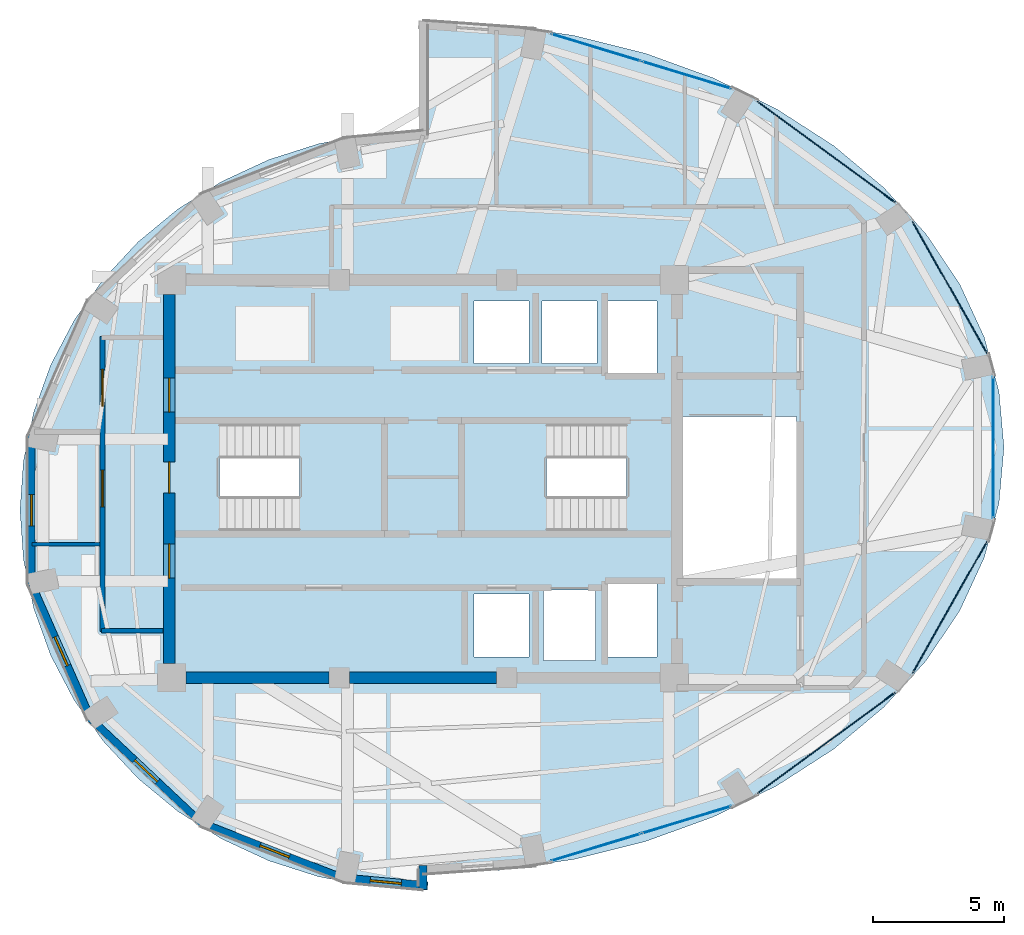
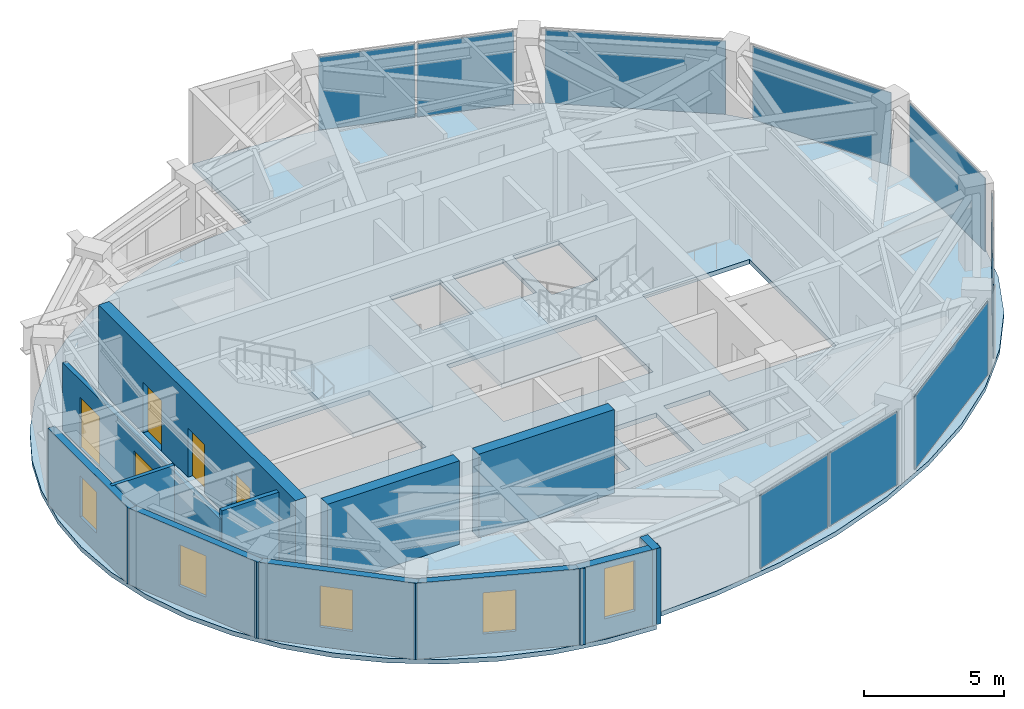
# One storey, part 9 of 13: 12 walls, 9 plates, 5 doors, 5 windows, 3 slabs, 10 openings, 9 elements without a shape of their own.
"""IFC4 building model written with IfcOpenShell, lengths in metres."""

from ifc_helpers import new_model, si_unit, direction, frame, frame_2d, origin, origin_2d, place, context, subcontext, project, spatial, polyline, rectangle, outline, extrude, material, layer, layer_set, type_object, element, fill, aggregate, save


model = new_model("IFC4")

# Units and contexts
model_context = context("Model", 3, precision=1e-05, world=origin(), true_north=direction((0.0, 1.0)))
body_context = subcontext(model_context, "Body", "Model", "MODEL_VIEW")
ifc_project = project(units=[si_unit("LENGTHUNIT", "METRE"), si_unit("AREAUNIT", "SQUARE_METRE"), si_unit("VOLUMEUNIT", "CUBIC_METRE"), si_unit("PLANEANGLEUNIT", "RADIAN"), si_unit("MASSUNIT", "GRAM", prefix="KILO")], contexts=[model_context])

# Site, building, storey
site_placement = place(None, origin())
site = spatial("IfcSite", under=ifc_project, at=site_placement, CompositionType="ELEMENT")
building_placement = place(site_placement, origin())
building = spatial("IfcBuilding", under=site, at=building_placement, Name="Lazwardi Medical Tower", CompositionType="ELEMENT")
storey_placement = place(building_placement, frame((0.0, 0.0, 298.800048828125)))
storey = spatial("IfcBuildingStorey", under=building, at=storey_placement, Name="L78", CompositionType="ELEMENT", Elevation=298.800048828125)

# Curtain wall, plates
ifc_material_1 = material(Name="Anodised bronze aluminium and solar control glazing", Category="aluminium")
ifc_layer_1 = layer(ifc_material_1, 0.18994140625)
ifc_layer_set_1 = layer_set([ifc_layer_1], Name="Anodised bronze aluminium and solar control glazing")
curtain_wall_type = type_object("IfcCurtainWallType", Name="CW-SYS-04", PredefinedType="NOTDEFINED", material=ifc_layer_set_1)
curtain_wall_1_placement = place(storey_placement, origin())
curtain_wall_1 = element("IfcCurtainWall", 1, at=curtain_wall_1_placement, inside=storey, type_object=curtain_wall_type, Name="L78 Unitised bronze curtain wall CW-04", PredefinedType="NOTDEFINED")
ifc_material_2 = material(Name="Low-e bronze solar control double glazing", Category="glass")
ifc_layer_2 = layer(ifc_material_2, 0.035888671875)
ifc_layer_set_2 = layer_set([ifc_layer_2], Name="Low-e bronze solar control double glazing")
plate_type = type_object("IfcPlateType", Name="PLT-GLZ-01", PredefinedType="CURTAIN_PANEL", material=ifc_layer_set_2)
plate_1_placement = place(storey_placement, frame((42.604736328125, 13.918701171875, 0.06494140625), z_axis=(0.0, 0.0, 1.0), x_axis=(0.956850126972, 0.290581889515, 0.0)))
plate_1 = element("IfcPlate", 2, at=plate_1_placement, type_object=plate_type, Name="CW-04 panel 1.1", PredefinedType="CURTAIN_PANEL", context=body_context, shape_type="SweptSolid", body=[
    extrude(rectangle(XDim=3.554443359375, YDim=0.035888671875, at=origin_2d()), origin(), (0.0, 0.0, 1.0), 3.197998046875),
])
plate_2_placement = place(storey_placement, frame((46.068115234375, 14.970458984375, 0.06494140625), z_axis=(0.0, 0.0, 1.0), x_axis=(0.956850126972, 0.290581889515, 0.0)))
plate_2 = element("IfcPlate", 3, at=plate_2_placement, type_object=plate_type, Name="CW-04 panel 2.1", PredefinedType="CURTAIN_PANEL", context=body_context, shape_type="SweptSolid", body=[
    extrude(rectangle(XDim=3.554443359375, YDim=0.035888671875, at=origin_2d()), origin(), (0.0, 0.0, 1.0), 3.197998046875),
])
aggregate(curtain_wall_1, [plate_1, plate_2])

# Curtain wall, plate
curtain_wall_2_placement = place(storey_placement, origin())
curtain_wall_2 = element("IfcCurtainWall", 4, at=curtain_wall_2_placement, inside=storey, type_object=curtain_wall_type, Name="L78 Unitised bronze curtain wall CW-04", PredefinedType="NOTDEFINED")
plate_3_placement = place(storey_placement, frame((51.403564453125, 17.90673828125, 0.06494140625), z_axis=(0.0, 0.0, 1.0), x_axis=(0.806474971121, 0.591268230971, 0.0)))
plate_3 = element("IfcPlate", 5, at=plate_3_placement, type_object=plate_type, Name="CW-04 panel 1.1", PredefinedType="CURTAIN_PANEL", context=body_context, shape_type="SweptSolid", body=[
    extrude(rectangle(XDim=6.502685546875, YDim=0.035888671875, at=origin_2d()), origin(), (0.0, 0.0, 1.0), 3.197998046875),
])
aggregate(curtain_wall_2, [plate_3])

curtain_wall_3_placement = place(storey_placement, origin())
curtain_wall_3 = element("IfcCurtainWall", 6, at=curtain_wall_3_placement, inside=storey, type_object=curtain_wall_type, Name="L78 Unitised bronze curtain wall CW-04", PredefinedType="NOTDEFINED")
plate_4_placement = place(storey_placement, frame((56.125732421875, 23.088134765625, 0.06494140625), z_axis=(0.0, 0.0, 1.0), x_axis=(0.491900474661, 0.870651436011, 0.0)))
plate_4 = element("IfcPlate", 7, at=plate_4_placement, type_object=plate_type, Name="CW-04 panel 1.1", PredefinedType="CURTAIN_PANEL", context=body_context, shape_type="SweptSolid", body=[
    extrude(rectangle(XDim=5.755126953125, YDim=0.035888671875, at=origin_2d()), origin(), (0.0, 0.0, 1.0), 3.197998046875),
])
aggregate(curtain_wall_3, [plate_4])

curtain_wall_4_placement = place(storey_placement, origin())
curtain_wall_4 = element("IfcCurtainWall", 8, at=curtain_wall_4_placement, inside=storey, type_object=curtain_wall_type, Name="L78 Unitised bronze curtain wall CW-04", PredefinedType="NOTDEFINED")
plate_5_placement = place(storey_placement, frame((57.7841796875, 29.199951171875, 0.06494140625), z_axis=(0.0, 0.0, 1.0), x_axis=(0.0, 1.0, 0.0)))
plate_5 = element("IfcPlate", 9, at=plate_5_placement, type_object=plate_type, Name="CW-04 panel 1.1", PredefinedType="CURTAIN_PANEL", context=body_context, shape_type="SweptSolid", body=[
    extrude(rectangle(XDim=5.416015625, YDim=0.035888671875, at=origin_2d()), origin(), (0.0, 0.0, 1.0), 3.197998046875),
])
aggregate(curtain_wall_4, [plate_5])

curtain_wall_5_placement = place(storey_placement, origin())
curtain_wall_5 = element("IfcCurtainWall", 10, at=curtain_wall_5_placement, inside=storey, type_object=curtain_wall_type, Name="L78 Unitised bronze curtain wall CW-04", PredefinedType="NOTDEFINED")
plate_6_placement = place(storey_placement, frame((56.125732421875, 35.311767578125, 0.06494140625), z_axis=(0.0, 0.0, 1.0), x_axis=(-0.491900474661, 0.870651436011, 0.0)))
plate_6 = element("IfcPlate", 11, at=plate_6_placement, type_object=plate_type, Name="CW-04 panel 1.1", PredefinedType="CURTAIN_PANEL", context=body_context, shape_type="SweptSolid", body=[
    extrude(rectangle(XDim=5.755126953125, YDim=0.035888671875, at=origin_2d()), origin(), (0.0, 0.0, 1.0), 3.197998046875),
])
aggregate(curtain_wall_5, [plate_6])

curtain_wall_6_placement = place(storey_placement, origin())
curtain_wall_6 = element("IfcCurtainWall", 12, at=curtain_wall_6_placement, inside=storey, type_object=curtain_wall_type, Name="L78 Unitised bronze curtain wall CW-04", PredefinedType="NOTDEFINED")
plate_7_placement = place(storey_placement, frame((51.403564453125, 40.4931640625, 0.06494140625), z_axis=(0.0, 0.0, 1.0), x_axis=(-0.806474971121, 0.591268230971, 0.0)))
plate_7 = element("IfcPlate", 13, at=plate_7_placement, type_object=plate_type, Name="CW-04 panel 1.1", PredefinedType="CURTAIN_PANEL", context=body_context, shape_type="SweptSolid", body=[
    extrude(rectangle(XDim=6.502685546875, YDim=0.035888671875, at=origin_2d()), origin(), (0.0, 0.0, 1.0), 3.197998046875),
])
aggregate(curtain_wall_6, [plate_7])

# Curtain wall, plates
curtain_wall_7_placement = place(storey_placement, origin())
curtain_wall_7 = element("IfcCurtainWall", 14, at=curtain_wall_7_placement, inside=storey, type_object=curtain_wall_type, Name="L78 Unitised bronze curtain wall CW-04", PredefinedType="NOTDEFINED")
plate_8_placement = place(storey_placement, frame((46.068115234375, 43.429443359375, 0.06494140625), z_axis=(0.0, 0.0, 1.0), x_axis=(-0.956850126972, 0.290581889515, 0.0)))
plate_8 = element("IfcPlate", 15, at=plate_8_placement, type_object=plate_type, Name="CW-04 panel 1.1", PredefinedType="CURTAIN_PANEL", context=body_context, shape_type="SweptSolid", body=[
    extrude(rectangle(XDim=3.554443359375, YDim=0.035888671875, at=origin_2d()), origin(), (0.0, 0.0, 1.0), 3.197998046875),
])
plate_9_placement = place(storey_placement, frame((42.604736328125, 44.481201171875, 0.06494140625), z_axis=(0.0, 0.0, 1.0), x_axis=(-0.956850126972, 0.290581889515, 0.0)))
plate_9 = element("IfcPlate", 16, at=plate_9_placement, type_object=plate_type, Name="CW-04 panel 2.1", PredefinedType="CURTAIN_PANEL", context=body_context, shape_type="SweptSolid", body=[
    extrude(rectangle(XDim=3.554443359375, YDim=0.035888671875, at=origin_2d()), origin(), (0.0, 0.0, 1.0), 3.197998046875),
])
aggregate(curtain_wall_7, [plate_8, plate_9])

# Stair, slab
ifc_material_3 = material(Name="Concrete C45/55", Category="concrete")
stair_type = type_object("IfcStairType", Name="STR-WRD", PredefinedType="HALF_TURN_STAIR", material=ifc_material_3)
stair_1_placement = place(storey_placement, origin())
stair_1 = element("IfcStair", 17, at=stair_1_placement, inside=storey, type_object=stair_type, Name="L78 Protected Exit Stair ST1", PredefinedType="HALF_TURN_STAIR")
ifc_layer_3 = layer(ifc_material_3, 0.199951171875)
ifc_layer_set_3 = layer_set([ifc_layer_3], Name="Concrete C45/55")
slab_type_1 = type_object("IfcSlabType", Name="SLB-LND-190", PredefinedType="LANDING", material=ifc_layer_set_3)
slab_1_placement = place(storey_placement, frame((0.0, 0.0, 1.6240234375)))
slab_1 = element("IfcSlab", 18, at=slab_1_placement, type_object=slab_type_1, Name="ST1 landing 1", PredefinedType="LANDING", context=body_context, shape_type="SweptSolid", body=[
    extrude(outline(polyline([(31.27490234375, 25.840087890625), (34.580078125, 25.840087890625), (34.580078125, 30.280029296875), (31.27490234375, 30.280029296875), (31.27490234375, 25.840087890625)])), origin(), (0.0, 0.0, 1.0), 0.199951171875),
])
aggregate(stair_1, [slab_1])

stair_2_placement = place(storey_placement, origin())
stair_2 = element("IfcStair", 19, at=stair_2_placement, inside=storey, type_object=stair_type, Name="L78 Protected Exit Stair ST2", PredefinedType="HALF_TURN_STAIR")
slab_2_placement = place(storey_placement, frame((0.0, 0.0, 1.6240234375)))
slab_2 = element("IfcSlab", 20, at=slab_2_placement, type_object=slab_type_1, Name="ST2 landing 1", PredefinedType="LANDING", context=body_context, shape_type="SweptSolid", body=[
    extrude(outline(polyline([(40.72509765625, 30.280029296875), (37.419921875, 30.280029296875), (37.419921875, 25.840087890625), (40.72509765625, 25.840087890625), (40.72509765625, 30.280029296875)])), origin(), (0.0, 0.0, 1.0), 0.199951171875),
])
aggregate(stair_2, [slab_2])

# Slab
ifc_material_4 = material(Name="Concrete C50/60", Category="concrete")
ifc_layer_4 = layer(ifc_material_4, 0.199951171875)
ifc_layer_set_4 = layer_set([ifc_layer_4], Name="Concrete C50/60")
slab_type_2 = type_object("IfcSlabType", Name="SLB-UPP-200", PredefinedType="FLOOR", material=ifc_layer_set_4)
slab_3_placement = place(storey_placement, frame((0.0, 0.0, -0.199951171875)))
element("IfcSlab", 21, at=slab_3_placement, inside=storey, type_object=slab_type_2, Name="Structural floor slab SF-04 L78", PredefinedType="FLOOR", context=body_context, shape_type="SweptSolid", body=[
    extrude(outline(polyline([(23.782470703125, 17.972900390625), (25.110595703125, 16.547119140625), (26.625, 15.29638671875), (28.300048828125, 14.24267578125), (30.106689453125, 13.40380859375), (32.01416015625, 12.794189453125), (33.989990234375, 12.424072265625), (36.0, 12.300048828125), (36.0, 12.89990234375), (38.897705078125, 13.039306640625), (41.745849609375, 13.455322265625), (44.49560546875, 14.140869140625), (47.10009765625, 15.083740234375), (49.514404296875, 16.268310546875), (51.69775390625, 17.67431640625), (53.6123046875, 19.277099609375), (55.225830078125, 21.050048828125), (56.510009765625, 22.96240234375), (57.443603515625, 24.981201171875), (58.010009765625, 27.072509765625), (58.199951171875, 29.199951171875), (58.010009765625, 31.32763671875), (57.443603515625, 33.418701171875), (56.510009765625, 35.437744140625), (55.225830078125, 37.35009765625), (53.6123046875, 39.122802734375), (51.69775390625, 40.725830078125), (49.514404296875, 42.131591796875), (47.10009765625, 43.316162109375), (44.49560546875, 44.25927734375), (41.745849609375, 44.944580078125), (38.897705078125, 45.360595703125), (36.0, 45.5), (36.0, 41.300048828125), (33.989990234375, 41.176025390625), (32.01416015625, 40.805908203125), (30.106689453125, 40.1962890625), (28.300048828125, 39.357421875), (26.625, 38.3037109375), (25.110595703125, 37.052978515625), (23.782470703125, 35.626953125), (22.6630859375, 34.050048828125), (21.772216796875, 32.348876953125), (21.124755859375, 30.552978515625), (20.731689453125, 28.692626953125), (20.60009765625, 26.800048828125), (20.731689453125, 24.907470703125), (21.124755859375, 23.047119140625), (21.772216796875, 21.251220703125), (22.6630859375, 19.550048828125), (23.782470703125, 17.972900390625)]), holes=[polyline([(28.22509765625, 26.02001953125), (28.22509765625, 30.10009765625), (34.39990234375, 30.10009765625), (34.39990234375, 26.02001953125), (28.22509765625, 26.02001953125)]), polyline([(37.60009765625, 30.10009765625), (43.77490234375, 30.10009765625), (43.77490234375, 26.02001953125), (37.60009765625, 26.02001953125), (37.60009765625, 30.10009765625)]), polyline([(50.280029296875, 30.375), (50.280029296875, 24.179931640625), (45.840087890625, 24.179931640625), (45.840087890625, 30.375), (50.280029296875, 30.375)]), polyline([(40.050048828125, 32.39990234375), (37.949951171875, 32.39990234375), (37.949951171875, 34.800048828125), (40.050048828125, 34.800048828125), (40.050048828125, 32.39990234375)]), polyline([(40.550048828125, 32.39990234375), (40.550048828125, 34.800048828125), (42.64990234375, 34.800048828125), (42.64990234375, 32.39990234375), (40.550048828125, 32.39990234375)]), polyline([(37.949951171875, 23.60009765625), (40.050048828125, 23.60009765625), (40.050048828125, 21.199951171875), (37.949951171875, 21.199951171875), (37.949951171875, 23.60009765625)]), polyline([(44.949951171875, 34.800048828125), (44.949951171875, 32.0), (43.050048828125, 32.0), (43.050048828125, 34.800048828125), (44.949951171875, 34.800048828125)]), polyline([(44.949951171875, 21.199951171875), (43.050048828125, 21.199951171875), (43.050048828125, 24.0), (44.949951171875, 24.0), (44.949951171875, 21.199951171875)]), polyline([(40.60009765625, 21.050048828125), (40.60009765625, 23.75), (42.60009765625, 23.75), (42.60009765625, 21.050048828125), (40.60009765625, 21.050048828125)])]), origin(), (0.0, 0.0, 1.0), 0.199951171875),
])

# Wall
ifc_material_5 = material(Name="Fire-rated gypsum board on steel stud", Category="steel")
ifc_layer_5 = layer(ifc_material_5, 0.179931640625)
ifc_layer_set_5 = layer_set([ifc_layer_5], Name="Fire-rated gypsum board on steel stud")
wall_type_1 = type_object("IfcWallType", Name="WL-COR-180", PredefinedType="PARTITIONING", material=ifc_layer_set_5)
wall_1_placement = place(storey_placement, frame((26.06005859375, 22.199951171875, 0.0), z_axis=(0.0, 0.0, 1.0), x_axis=(-1.0, 0.0, 0.0)))
element("IfcWall", 22, at=wall_1_placement, inside=storey, type_object=wall_type_1, Name="L78 Corridor partition 7", PredefinedType="PARTITIONING", context=body_context, shape_type="SweptSolid", body=[
    extrude(rectangle(XDim=2.35009765625, YDim=0.179931640625, at=frame_2d((1.175048828125, 0.0))), origin(), (0.0, 0.0, 1.0), 3.327880859375),
])

# Wall, openings, doors
wall_2_placement = place(storey_placement, frame((23.75, 22.159912109375, 0.0), z_axis=(0.0, 0.0, 1.0), x_axis=(0.0, 1.0, 0.0)))
wall_2 = element("IfcWall", 23, at=wall_2_placement, inside=storey, type_object=wall_type_1, Name="L78 Corridor partition 8", PredefinedType="PARTITIONING", context=body_context, shape_type="SweptSolid", body=[
    extrude(rectangle(XDim=11.280029296875, YDim=0.179931640625, at=frame_2d((5.64013671875, 0.0))), origin(), (0.0, 0.0, 1.0), 2.952880859375),
])
opening_1_placement = place(wall_2_placement, frame((4.7724609375, 0.0, 0.0)))
opening_1 = element("IfcOpeningElement", 24, at=opening_1_placement, cuts=wall_2, Name="Opening D-L78-010", PredefinedType="OPENING", context=body_context, shape_type="SweptSolid", body=[
    extrude(rectangle(XDim=1.39990234375, YDim=2.199951171875, at=frame_2d((0.699951171875, 1.10009765625))), frame((0.0, 0.099853515625, 0.0), z_axis=(0.0, -1.0, 0.0), x_axis=(1.0, 0.0, 0.0)), (0.0, 0.0, 1.0), 0.199951171875),
])
opening_2_placement = place(wall_2_placement, frame((8.618408203125, 0.0, 0.0)))
opening_2 = element("IfcOpeningElement", 25, at=opening_2_placement, cuts=wall_2, Name="Opening D-L78-016", PredefinedType="OPENING", context=body_context, shape_type="SweptSolid", body=[
    extrude(rectangle(XDim=1.39990234375, YDim=2.199951171875, at=frame_2d((0.699951171875, 1.10009765625))), frame((0.0, 0.099853515625, 0.0), z_axis=(0.0, -1.0, 0.0), x_axis=(1.0, 0.0, 0.0)), (0.0, 0.0, 1.0), 0.199951171875),
])
ifc_material_6 = material(Name="Anti-microbial laminate hospital leaf")
door_type_1 = type_object("IfcDoorType", Name="DR-BED-1400", OperationType="NOTDEFINED", PredefinedType="DOOR", material=ifc_material_6)
door_1_placement = place(opening_1_placement, origin())
door_1 = element("IfcDoor", 26, at=door_1_placement, inside=storey, type_object=door_type_1, Name="L78 Rehabilitation Gymnasium Door 01", OperationType="SINGLE_SWING_RIGHT", OverallHeight=2.199951171875, OverallWidth=1.39990234375, PredefinedType="DOOR", context=body_context, shape_type="SweptSolid", body=[
    extrude(rectangle(XDim=1.39990234375, YDim=2.199951171875, at=frame_2d((0.699951171875, 1.10009765625))), frame((0.0, 0.02490234375, 0.0), z_axis=(0.0, -1.0, 0.0), x_axis=(1.0, 0.0, 0.0)), (0.0, 0.0, 1.0), 0.050048828125),
])
fill(opening_1, door_1)
door_2_placement = place(opening_2_placement, origin())
door_2 = element("IfcDoor", 27, at=door_2_placement, inside=storey, type_object=door_type_1, Name="L78 Helipad Reception Door 07", OperationType="SINGLE_SWING_RIGHT", OverallHeight=2.199951171875, OverallWidth=1.39990234375, PredefinedType="DOOR", context=body_context, shape_type="SweptSolid", body=[
    extrude(rectangle(XDim=1.39990234375, YDim=2.199951171875, at=frame_2d((0.699951171875, 1.10009765625))), frame((0.0, 0.02490234375, 0.0), z_axis=(0.0, -1.0, 0.0), x_axis=(1.0, 0.0, 0.0)), (0.0, 0.0, 1.0), 0.050048828125),
])
fill(opening_2, door_2)

ifc_material_7 = material(Name="Concrete C60/75", Category="concrete")
ifc_layer_6 = layer(ifc_material_7, 0.449951171875)
ifc_layer_set_6 = layer_set([ifc_layer_6], Name="Concrete C60/75")
wall_type_2 = type_object("IfcWallType", Name="WL-CORE-450", PredefinedType="SHEAR", material=ifc_layer_set_6)
wall_3_placement = place(storey_placement, frame((26.300048828125, 20.949951171875, 0.0), z_axis=(0.0, 0.0, 1.0), x_axis=(0.0, 1.0, 0.0)))
wall_3 = element("IfcWall", 28, at=wall_3_placement, inside=storey, type_object=wall_type_2, Name="Core wall CW-S4 west L78", PredefinedType="SHEAR", context=body_context, shape_type="SweptSolid", body=[
    extrude(rectangle(XDim=14.10009765625, YDim=0.449951171875, at=frame_2d((7.050048828125, 0.0))), origin(), (0.0, 0.0, 1.0), 3.64794921875),
])
opening_3_placement = place(wall_3_placement, frame((6.5, 0.0, 0.0)))
opening_3 = element("IfcOpeningElement", 29, at=opening_3_placement, cuts=wall_3, Name="Opening D-L78-017", PredefinedType="OPENING", context=body_context, shape_type="SweptSolid", body=[
    extrude(rectangle(XDim=1.199951171875, YDim=2.14990234375, at=frame_2d((0.60009765625, 1.074951171875))), frame((0.0, 0.23486328125, 0.0), z_axis=(0.0, -1.0, 0.0), x_axis=(1.0, 0.0, 0.0)), (0.0, 0.0, 1.0), 0.469970703125),
])
opening_4_placement = place(wall_3_placement, frame((9.60009765625, 0.0, 0.0)))
opening_4 = element("IfcOpeningElement", 30, at=opening_4_placement, cuts=wall_3, Name="Opening D-L78-008", PredefinedType="OPENING", context=body_context, shape_type="SweptSolid", body=[
    extrude(rectangle(XDim=1.300048828125, YDim=2.199951171875, at=frame_2d((0.64990234375, 1.10009765625))), frame((0.0, 0.23486328125, 0.0), z_axis=(0.0, -1.0, 0.0), x_axis=(1.0, 0.0, 0.0)), (0.0, 0.0, 1.0), 0.469970703125),
])
opening_5_placement = place(wall_3_placement, frame((3.260009765625, 0.0, 0.0)))
opening_5 = element("IfcOpeningElement", 31, at=opening_5_placement, cuts=wall_3, Name="Opening D-L78-009", PredefinedType="OPENING", context=body_context, shape_type="SweptSolid", body=[
    extrude(rectangle(XDim=1.300048828125, YDim=2.199951171875, at=frame_2d((0.64990234375, 1.10009765625))), frame((0.0, 0.23486328125, 0.0), z_axis=(0.0, -1.0, 0.0), x_axis=(1.0, 0.0, 0.0)), (0.0, 0.0, 1.0), 0.469970703125),
])
ifc_material_8 = material(Name="Fire-rated steel leaf and frame", Category="steel")
door_type_2 = type_object("IfcDoorType", Name="DR-FFL-1300", OperationType="NOTDEFINED", PredefinedType="DOOR", material=ifc_material_8)
door_3_placement = place(opening_4_placement, origin())
door_3 = element("IfcDoor", 32, at=door_3_placement, inside=storey, type_object=door_type_2, Name="L78 North Lift Lobby Door", OperationType="SINGLE_SWING_RIGHT", OverallHeight=2.199951171875, OverallWidth=1.300048828125, PredefinedType="DOOR", context=body_context, shape_type="SweptSolid", body=[
    extrude(rectangle(XDim=1.300048828125, YDim=2.199951171875, at=frame_2d((0.64990234375, 1.10009765625))), frame((0.0, 0.02490234375, 0.0), z_axis=(0.0, -1.0, 0.0), x_axis=(1.0, 0.0, 0.0)), (0.0, 0.0, 1.0), 0.050048828125),
])
fill(opening_4, door_3)
door_4_placement = place(opening_5_placement, origin())
door_4 = element("IfcDoor", 33, at=door_4_placement, inside=storey, type_object=door_type_2, Name="L78 South Lift Lobby Door", OperationType="SINGLE_SWING_LEFT", OverallHeight=2.199951171875, OverallWidth=1.300048828125, PredefinedType="DOOR", context=body_context, shape_type="SweptSolid", body=[
    extrude(rectangle(XDim=1.300048828125, YDim=2.199951171875, at=frame_2d((0.64990234375, 1.10009765625))), frame((0.0, 0.02490234375, 0.0), z_axis=(0.0, -1.0, 0.0), x_axis=(1.0, 0.0, 0.0)), (0.0, 0.0, 1.0), 0.050048828125),
])
fill(opening_5, door_4)
door_type_3 = type_object("IfcDoorType", Name="DR-STR-1200", OperationType="NOTDEFINED", PredefinedType="DOOR", material=ifc_material_8)
door_5_placement = place(opening_3_placement, origin())
door_5 = element("IfcDoor", 34, at=door_5_placement, inside=storey, type_object=door_type_3, Name="L78 Exit Stair ST1 Door", OperationType="SINGLE_SWING_RIGHT", OverallHeight=2.14990234375, OverallWidth=1.199951171875, PredefinedType="DOOR", context=body_context, shape_type="SweptSolid", body=[
    extrude(rectangle(XDim=1.199951171875, YDim=2.14990234375, at=frame_2d((0.60009765625, 1.074951171875))), frame((0.0, 0.02490234375, 0.0), z_axis=(0.0, -1.0, 0.0), x_axis=(1.0, 0.0, 0.0)), (0.0, 0.0, 1.0), 0.050048828125),
])
fill(opening_3, door_5)

# Walls
wall_4_placement = place(storey_placement, frame((26.949951171875, 20.39990234375, 0.0), z_axis=(0.0, 0.0, 1.0), x_axis=(1.0, 0.0, 0.0)))
element("IfcWall", 35, at=wall_4_placement, inside=storey, type_object=wall_type_2, Name="Core wall CW-S4 S1 L78", PredefinedType="SHEAR", context=body_context, shape_type="SweptSolid", body=[
    extrude(rectangle(XDim=5.449951171875, YDim=0.449951171875, at=frame_2d((2.72509765625, 0.0))), origin(), (0.0, 0.0, 1.0), 3.64794921875),
])
wall_5_placement = place(storey_placement, frame((33.199951171875, 20.39990234375, 0.0), z_axis=(0.0, 0.0, 1.0), x_axis=(1.0, 0.0, 0.0)))
element("IfcWall", 36, at=wall_5_placement, inside=storey, type_object=wall_type_2, Name="Core wall CW-S4 S2 L78", PredefinedType="SHEAR", context=body_context, shape_type="SweptSolid", body=[
    extrude(rectangle(XDim=5.60009765625, YDim=0.449951171875, at=frame_2d((2.800048828125, 0.0))), origin(), (0.0, 0.0, 1.0), 3.64794921875),
])

# Wall, opening, window
ifc_material_9 = material(Name="Precast concrete C45/55", Category="concrete")
ifc_layer_7 = layer(ifc_material_9, 0.280029296875)
ifc_layer_set_7 = layer_set([ifc_layer_7], Name="Precast concrete C45/55")
wall_type_3 = type_object("IfcWallType", Name="WL-DRUM-280", PredefinedType="SOLIDWALL", material=ifc_layer_set_7)
wall_6_placement = place(storey_placement, frame((21.033203125, 29.701416015625, 0.0), z_axis=(0.0, 0.0, 1.0), x_axis=(0.0, -1.0, 0.0)))
wall_6 = element("IfcWall", 37, at=wall_6_placement, inside=storey, type_object=wall_type_3, Name="L78 West Drum Precast Wall 4", PredefinedType="SOLIDWALL", context=body_context, shape_type="SweptSolid", body=[
    extrude(rectangle(XDim=5.802978515625, YDim=0.280029296875, at=frame_2d((2.9013671875, 0.0))), origin(), (0.0, 0.0, 1.0), 3.327880859375),
])
opening_6_placement = place(wall_6_placement, frame((2.301513671875, 0.0, 0.85009765625)))
opening_6 = element("IfcOpeningElement", 38, at=opening_6_placement, cuts=wall_6, Name="Opening WN-04", PredefinedType="OPENING", context=body_context, shape_type="SweptSolid", body=[
    extrude(rectangle(XDim=1.199951171875, YDim=1.800048828125, at=frame_2d((0.60009765625, 0.89990234375))), frame((0.0, 0.14990234375, 0.0), z_axis=(0.0, -1.0, 0.0), x_axis=(1.0, 0.0, 0.0)), (0.0, 0.0, 1.0), 0.300048828125),
])
window_type_1 = type_object("IfcWindowType", Name="WIN-DRUM-1200", PartitioningType="SINGLE_PANEL", PredefinedType="WINDOW", material=ifc_material_2)
window_1_placement = place(opening_6_placement, origin())
window_1 = element("IfcWindow", 39, at=window_1_placement, inside=storey, type_object=window_type_1, Name="L78 West Drum Window 4", OverallHeight=1.800048828125, OverallWidth=1.199951171875, PartitioningType="SINGLE_PANEL", PredefinedType="WINDOW", context=body_context, shape_type="SweptSolid", body=[
    extrude(rectangle(XDim=1.199951171875, YDim=1.800048828125, at=frame_2d((0.60009765625, 0.89990234375))), frame((0.0, 0.030029296875, 0.0), z_axis=(0.0, -1.0, 0.0), x_axis=(1.0, 0.0, 0.0)), (0.0, 0.0, 1.0), 0.06005859375),
])
fill(opening_6, window_1)

wall_7_placement = place(storey_placement, frame((20.992919921875, 24.090087890625, 0.0), z_axis=(0.0, 0.0, 1.0), x_axis=(0.402867150469, -0.91525846572, 0.0)))
wall_7 = element("IfcWall", 40, at=wall_7_placement, inside=storey, type_object=wall_type_3, Name="L78 West Drum Precast Wall 5", PredefinedType="SOLIDWALL", context=body_context, shape_type="SweptSolid", body=[
    extrude(rectangle(XDim=5.85595703125, YDim=0.280029296875, at=frame_2d((2.927978515625, 0.0))), origin(), (0.0, 0.0, 1.0), 3.327880859375),
])
opening_7_placement = place(wall_7_placement, frame((2.327880859375, 0.0, 0.85009765625)))
opening_7 = element("IfcOpeningElement", 41, at=opening_7_placement, cuts=wall_7, Name="Opening WN-04", PredefinedType="OPENING", context=body_context, shape_type="SweptSolid", body=[
    extrude(rectangle(XDim=1.199951171875, YDim=1.800048828125, at=frame_2d((0.60009765625, 0.89990234375))), frame((0.0, 0.14990234375, 0.0), z_axis=(0.0, -1.0, 0.0), x_axis=(1.0, 0.0, 0.0)), (0.0, 0.0, 1.0), 0.300048828125),
])
window_2_placement = place(opening_7_placement, origin())
window_2 = element("IfcWindow", 42, at=window_2_placement, inside=storey, type_object=window_type_1, Name="L78 West Drum Window 5", OverallHeight=1.800048828125, OverallWidth=1.199951171875, PartitioningType="SINGLE_PANEL", PredefinedType="WINDOW", context=body_context, shape_type="SweptSolid", body=[
    extrude(rectangle(XDim=1.199951171875, YDim=1.800048828125, at=frame_2d((0.60009765625, 0.89990234375))), frame((0.0, 0.030029296875, 0.0), z_axis=(0.0, -1.0, 0.0), x_axis=(1.0, 0.0, 0.0)), (0.0, 0.0, 1.0), 0.06005859375),
])
fill(opening_7, window_2)

wall_8_placement = place(storey_placement, frame((23.239013671875, 18.890380859375, 0.0), z_axis=(0.0, 0.0, 1.0), x_axis=(0.728251519923, -0.685309947199, 0.0)))
wall_8 = element("IfcWall", 43, at=wall_8_placement, inside=storey, type_object=wall_type_3, Name="L78 West Drum Precast Wall 6", PredefinedType="SOLIDWALL", context=body_context, shape_type="SweptSolid", body=[
    extrude(rectangle(XDim=5.98095703125, YDim=0.280029296875, at=frame_2d((2.990478515625, 0.0))), origin(), (0.0, 0.0, 1.0), 3.327880859375),
])
opening_8_placement = place(wall_8_placement, frame((2.390625, 0.0, 0.85009765625)))
opening_8 = element("IfcOpeningElement", 44, at=opening_8_placement, cuts=wall_8, Name="Opening WN-04", PredefinedType="OPENING", context=body_context, shape_type="SweptSolid", body=[
    extrude(rectangle(XDim=1.199951171875, YDim=1.800048828125, at=frame_2d((0.60009765625, 0.89990234375))), frame((0.0, 0.14990234375, 0.0), z_axis=(0.0, -1.0, 0.0), x_axis=(1.0, 0.0, 0.0)), (0.0, 0.0, 1.0), 0.300048828125),
])
window_3_placement = place(opening_8_placement, origin())
window_3 = element("IfcWindow", 45, at=window_3_placement, inside=storey, type_object=window_type_1, Name="L78 West Drum Window 6", OverallHeight=1.800048828125, OverallWidth=1.199951171875, PartitioningType="SINGLE_PANEL", PredefinedType="WINDOW", context=body_context, shape_type="SweptSolid", body=[
    extrude(rectangle(XDim=1.199951171875, YDim=1.800048828125, at=frame_2d((0.60009765625, 0.89990234375))), frame((0.0, 0.030029296875, 0.0), z_axis=(0.0, -1.0, 0.0), x_axis=(1.0, 0.0, 0.0)), (0.0, 0.0, 1.0), 0.06005859375),
])
fill(opening_8, window_3)

wall_9_placement = place(storey_placement, frame((27.4287109375, 14.896484375, 0.0), z_axis=(0.0, 0.0, 1.0), x_axis=(0.931716550814, -0.36318627306, 0.0)))
wall_9 = element("IfcWall", 46, at=wall_9_placement, inside=storey, type_object=wall_type_3, Name="L78 West Drum Precast Wall 7", PredefinedType="SOLIDWALL", context=body_context, shape_type="SweptSolid", body=[
    extrude(rectangle(XDim=6.22412109375, YDim=0.280029296875, at=frame_2d((3.112060546875, 0.0))), origin(), (0.0, 0.0, 1.0), 3.327880859375),
])
opening_9_placement = place(wall_9_placement, frame((2.511962890625, 0.0, 0.85009765625)))
opening_9 = element("IfcOpeningElement", 47, at=opening_9_placement, cuts=wall_9, Name="Opening WN-04", PredefinedType="OPENING", context=body_context, shape_type="SweptSolid", body=[
    extrude(rectangle(XDim=1.199951171875, YDim=1.800048828125, at=frame_2d((0.60009765625, 0.89990234375))), frame((0.0, 0.14990234375, 0.0), z_axis=(0.0, -1.0, 0.0), x_axis=(1.0, 0.0, 0.0)), (0.0, 0.0, 1.0), 0.300048828125),
])
window_4_placement = place(opening_9_placement, origin())
window_4 = element("IfcWindow", 48, at=window_4_placement, inside=storey, type_object=window_type_1, Name="L78 West Drum Window 7", OverallHeight=1.800048828125, OverallWidth=1.199951171875, PartitioningType="SINGLE_PANEL", PredefinedType="WINDOW", context=body_context, shape_type="SweptSolid", body=[
    extrude(rectangle(XDim=1.199951171875, YDim=1.800048828125, at=frame_2d((0.60009765625, 0.89990234375))), frame((0.0, 0.030029296875, 0.0), z_axis=(0.0, -1.0, 0.0), x_axis=(1.0, 0.0, 0.0)), (0.0, 0.0, 1.0), 0.06005859375),
])
fill(opening_9, window_4)

ifc_layer_8 = layer(ifc_material_9, 0.320068359375)
ifc_layer_set_8 = layer_set([ifc_layer_8], Name="Precast concrete C45/55")
wall_type_4 = type_object("IfcWallType", Name="WL-IWAN-320", PredefinedType="SOLIDWALL", material=ifc_layer_set_8)
wall_10_placement = place(storey_placement, frame((32.97705078125, 12.739990234375, 0.0), z_axis=(0.0, 0.0, 1.0), x_axis=(0.995736155144, -0.092247001792, 0.0)))
wall_10 = element("IfcWall", 49, at=wall_10_placement, inside=storey, type_object=wall_type_4, Name="L78 Iwan Portal Return Wall SW_ret", PredefinedType="SOLIDWALL", context=body_context, shape_type="SweptSolid", body=[
    extrude(rectangle(XDim=3.215576171875, YDim=0.320068359375, at=frame_2d((1.60791015625, 0.0))), origin(), (0.0, 0.0, 1.0), 3.327880859375),
])
opening_10_placement = place(wall_10_placement, frame((1.0078125, 0.0, 0.85009765625)))
opening_10 = element("IfcOpeningElement", 50, at=opening_10_placement, cuts=wall_10, Name="Opening WN-01", PredefinedType="OPENING", context=body_context, shape_type="SweptSolid", body=[
    extrude(rectangle(XDim=1.199951171875, YDim=2.199951171875, at=frame_2d((0.60009765625, 1.10009765625))), frame((0.0, 0.169921875, 0.0), z_axis=(0.0, -1.0, 0.0), x_axis=(1.0, 0.0, 0.0)), (0.0, 0.0, 1.0), 0.340087890625),
])
window_type_2 = type_object("IfcWindowType", Name="WIN-IW-1200", PartitioningType="SINGLE_PANEL", PredefinedType="WINDOW", material=ifc_material_2)
window_5_placement = place(opening_10_placement, origin())
window_5 = element("IfcWindow", 51, at=window_5_placement, inside=storey, type_object=window_type_2, Name="L78 Iwan Slot Window SW_ret", OverallHeight=2.199951171875, OverallWidth=1.199951171875, PartitioningType="SINGLE_PANEL", PredefinedType="WINDOW", context=body_context, shape_type="SweptSolid", body=[
    extrude(rectangle(XDim=1.199951171875, YDim=2.199951171875, at=frame_2d((0.60009765625, 1.10009765625))), frame((0.0, 0.030029296875, 0.0), z_axis=(0.0, -1.0, 0.0), x_axis=(1.0, 0.0, 0.0)), (0.0, 0.0, 1.0), 0.06005859375),
])
fill(opening_10, window_5)

# Walls
wall_11_placement = place(storey_placement, frame((36.0, 12.300048828125, 0.0), z_axis=(0.0, 0.0, 1.0), x_axis=(0.0, 1.0, 0.0)))
element("IfcWall", 52, at=wall_11_placement, inside=storey, type_object=wall_type_4, Name="L78 Turquoise Tilework Iwan Seam Wall S_seam", PredefinedType="SOLIDWALL", context=body_context, shape_type="SweptSolid", body=[
    extrude(rectangle(XDim=0.919921875, YDim=0.320068359375, at=frame_2d((0.4599609375, 0.0))), origin(), (0.0, 0.0, 1.0), 3.327880859375),
])
ifc_material_10 = material(Name="Acoustic gypsum board partition")
ifc_layer_9 = layer(ifc_material_10, 0.14990234375)
ifc_layer_set_9 = layer_set([ifc_layer_9], Name="Acoustic gypsum board partition")
wall_type_5 = type_object("IfcWallType", Name="WL-WRD-150", PredefinedType="PARTITIONING", material=ifc_layer_set_9)
wall_12_placement = place(storey_placement, frame((21.068115234375, 25.5, 0.0), z_axis=(0.0, 0.0, 1.0), x_axis=(1.0, 0.0, 0.0)))
element("IfcWall", 53, at=wall_12_placement, inside=storey, type_object=wall_type_5, Name="L78 Room partition 1", PredefinedType="PARTITIONING", context=body_context, shape_type="SweptSolid", body=[
    extrude(rectangle(XDim=2.591796875, YDim=0.14990234375, at=frame_2d((1.2958984375, 0.0))), origin(), (0.0, 0.0, 1.0), 3.327880859375),
])

save(model, "model.ifc")
